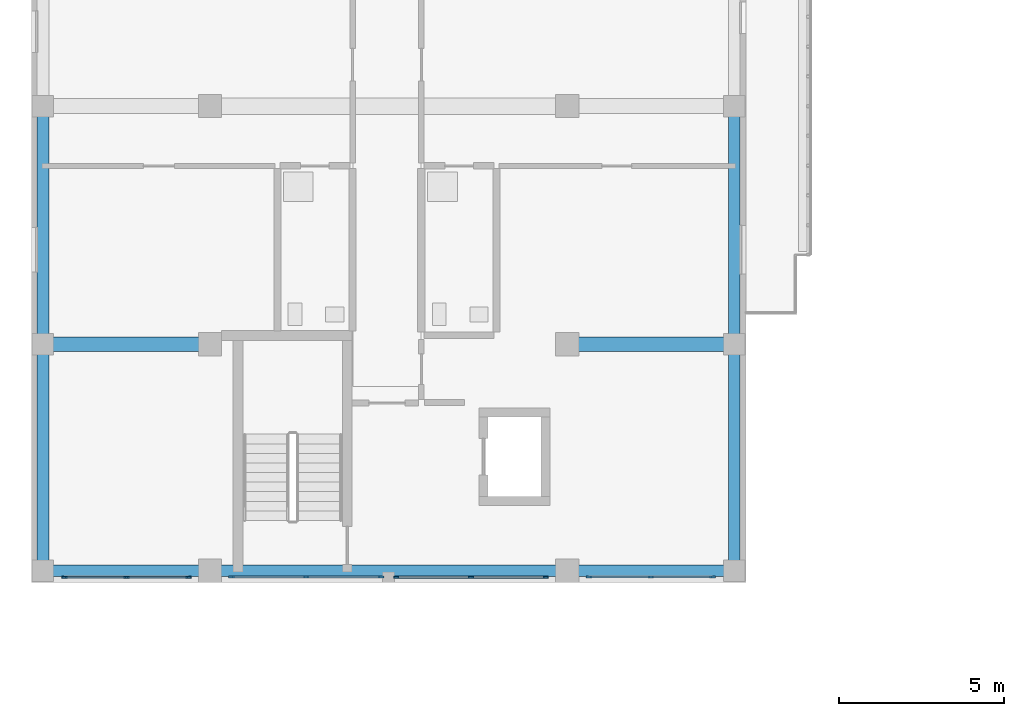
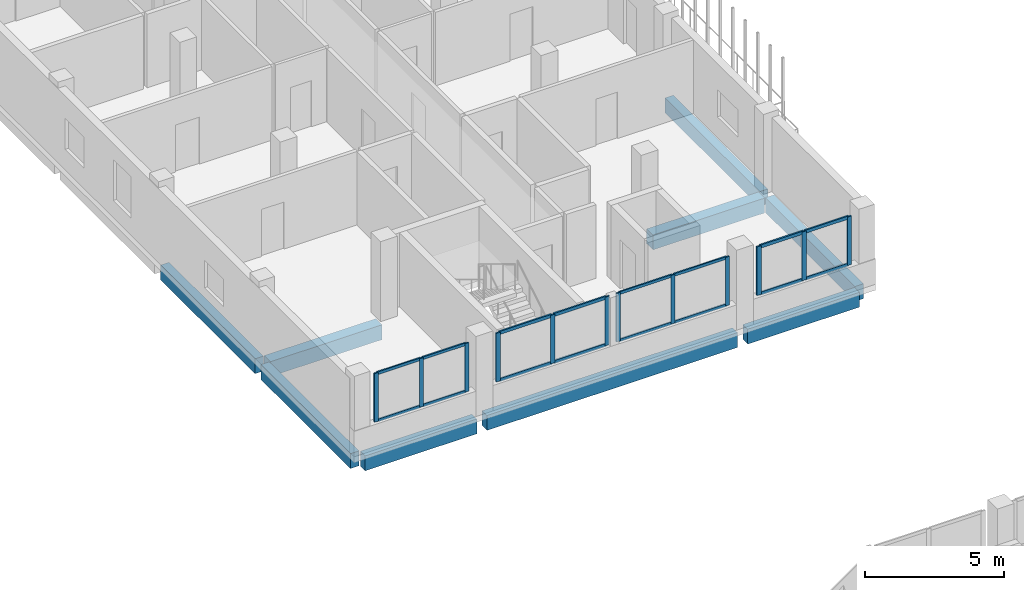
# One storey, part 16 of 73: 28 members, 9 beams, 4 elements without a shape of their own.
"""IFC4 building model written with IfcOpenShell, lengths in metres."""

from ifc_helpers import new_model, si_unit, derived_unit, direction, frame, origin, origin_2d, place, context, subcontext, project, spatial, rectangle, extrude, material, layer, layer_set, material_profile, profile_set, type_object, element, aggregate, save


model = new_model("IFC4")

# Units and contexts
model_context = context("Model", 3, precision=1e-05, world=origin(), true_north=direction((0.0, 1.0)))
body_context = subcontext(model_context, "Body", "Model", "MODEL_VIEW")
ifc_project = project(units=[si_unit("LENGTHUNIT", "METRE"), si_unit("AREAUNIT", "SQUARE_METRE"), si_unit("VOLUMEUNIT", "CUBIC_METRE"), si_unit("PLANEANGLEUNIT", "RADIAN"), si_unit("MASSUNIT", "GRAM", prefix="KILO"), derived_unit("THERMALTRANSMITTANCEUNIT", [(si_unit("MASSUNIT", "GRAM", prefix="KILO"), 1), (si_unit("TIMEUNIT", "SECOND"), -3), (si_unit("THERMODYNAMICTEMPERATUREUNIT", "KELVIN"), -1)])], contexts=[model_context])

# Site, building, storey
site_placement = place(None, origin())
site = spatial("IfcSite", under=ifc_project, at=site_placement, CompositionType="ELEMENT")
building_placement = place(site_placement, origin())
building = spatial("IfcBuilding", under=site, at=building_placement, Name="Ochrekiln Boulevard Commons", CompositionType="ELEMENT")
storey_placement = place(building_placement, frame((0.0, 0.0, 8.574951171875)))
storey = spatial("IfcBuildingStorey", under=building, at=storey_placement, Name="L02", CompositionType="ELEMENT", Elevation=8.574951171875)

# Beams
ifc_material_1 = material(Name="Concrete C35/45", Category="concrete")
ifc_material_profile_1 = material_profile(ifc_material_1, rectangle(XDim=0.449951171875, YDim=0.64990234375, at=origin_2d()), Name="RC-BM-450x650")
ifc_profile_set_1 = profile_set([ifc_material_profile_1], Name="Concrete C35/45")
beam_type_1 = type_object("IfcBeamType", Name="BM-RC-450x650", PredefinedType="BEAM", material=ifc_profile_set_1)
beam_1_placement = place(storey_placement, frame((0.56005859375, 75.60009765625, -0.5849609375), z_axis=(1.0, 0.0, 0.0), x_axis=(0.0, 1.0, 0.0)))
element("IfcBeam", 1, at=beam_1_placement, inside=storey, type_object=beam_type_1, Name="Block A L02 Beam B-4565 X4", PredefinedType="BEAM", context=body_context, shape_type="SweptSolid", body=[
    extrude(rectangle(XDim=0.449951171875, YDim=0.64990234375, at=origin_2d()), origin(), (0.0, 0.0, 1.0), 4.6298828125),
])
beam_2_placement = place(storey_placement, frame((16.409912109375, 75.60009765625, -0.5849609375), z_axis=(1.0, 0.0, 0.0), x_axis=(0.0, 1.0, 0.0)))
element("IfcBeam", 2, at=beam_2_placement, inside=storey, type_object=beam_type_1, Name="Block A L02 Beam B-4565 X5", PredefinedType="BEAM", context=body_context, shape_type="SweptSolid", body=[
    extrude(rectangle(XDim=0.449951171875, YDim=0.64990234375, at=origin_2d()), origin(), (0.0, 0.0, 1.0), 4.630126953125),
])

# Curtain wall, members
ifc_material_2 = material(Name="Bronze-anodized extruded aluminium 6063-T6", Category="aluminium")
ifc_layer = layer(ifc_material_2, 0.172119140625)
ifc_layer_set = layer_set([ifc_layer], Name="Bronze-anodized extruded aluminium 6063-T6")
curtain_wall_type = type_object("IfcCurtainWallType", Name="CW-GABLE-A", PredefinedType="USERDEFINED", material=ifc_layer_set)
curtain_wall_1_placement = place(storey_placement, origin())
curtain_wall_1 = element("IfcCurtainWall", 3, at=curtain_wall_1_placement, inside=storey, type_object=curtain_wall_type, Name="Block A L02 Courtyard Glazed Gable Curtain Wall 1", ObjectType="GLAZED CURTAIN WALL", PredefinedType="USERDEFINED")
ifc_material_profile_2 = material_profile(ifc_material_2, rectangle(XDim=0.06005859375, YDim=0.159912109375, at=origin_2d()), Name="ALU-MUL-60x160")
ifc_profile_set_2 = profile_set([ifc_material_profile_2], Name="Bronze-anodized extruded aluminium 6063-T6")
member_type_1 = type_object("IfcMemberType", Name="CWM-60x160", PredefinedType="MULLION", material=ifc_profile_set_2)
member_1_placement = place(storey_placement, frame((1.0, 68.56005859375, 1.110107421875), z_axis=(0.0, 0.0, 1.0), x_axis=(0.0, 1.0, 0.0)))
member_1 = element("IfcMember", 4, at=member_1_placement, type_object=member_type_1, Name="CW-01 mullion 1", PredefinedType="MULLION", context=body_context, shape_type="SweptSolid", body=[
    extrude(rectangle(XDim=0.06005859375, YDim=0.159912109375, at=origin_2d()), origin(), (0.0, 0.0, 1.0), 2.1298828125),
])
member_2_placement = place(storey_placement, frame((2.875, 68.56005859375, 1.110107421875), z_axis=(0.0, 0.0, 1.0), x_axis=(0.0, 1.0, 0.0)))
member_2 = element("IfcMember", 5, at=member_2_placement, type_object=member_type_1, Name="CW-01 mullion 2", PredefinedType="MULLION", context=body_context, shape_type="SweptSolid", body=[
    extrude(rectangle(XDim=0.06005859375, YDim=0.159912109375, at=origin_2d()), origin(), (0.0, 0.0, 1.0), 2.1298828125),
])
member_3_placement = place(storey_placement, frame((4.75, 68.56005859375, 1.110107421875), z_axis=(0.0, 0.0, 1.0), x_axis=(0.0, 1.0, 0.0)))
member_3 = element("IfcMember", 6, at=member_3_placement, type_object=member_type_1, Name="CW-01 mullion 3", PredefinedType="MULLION", context=body_context, shape_type="SweptSolid", body=[
    extrude(rectangle(XDim=0.06005859375, YDim=0.159912109375, at=origin_2d()), origin(), (0.0, 0.0, 1.0), 2.1298828125),
])

curtain_wall_2_placement = place(storey_placement, origin())
curtain_wall_2 = element("IfcCurtainWall", 7, at=curtain_wall_2_placement, inside=storey, type_object=curtain_wall_type, Name="Block A L02 Courtyard Glazed Gable Curtain Wall 3", ObjectType="GLAZED CURTAIN WALL", PredefinedType="USERDEFINED")
member_4_placement = place(storey_placement, frame((11.030029296875, 68.56005859375, 1.110107421875), z_axis=(0.0, 0.0, 1.0), x_axis=(0.0, 1.0, 0.0)))
member_4 = element("IfcMember", 8, at=member_4_placement, type_object=member_type_1, Name="CW-01 mullion 1", PredefinedType="MULLION", context=body_context, shape_type="SweptSolid", body=[
    extrude(rectangle(XDim=0.06005859375, YDim=0.159912109375, at=origin_2d()), origin(), (0.0, 0.0, 1.0), 2.1298828125),
])
member_5_placement = place(storey_placement, frame((13.2900390625, 68.56005859375, 1.110107421875), z_axis=(0.0, 0.0, 1.0), x_axis=(0.0, 1.0, 0.0)))
member_5 = element("IfcMember", 9, at=member_5_placement, type_object=member_type_1, Name="CW-01 mullion 2", PredefinedType="MULLION", context=body_context, shape_type="SweptSolid", body=[
    extrude(rectangle(XDim=0.06005859375, YDim=0.159912109375, at=origin_2d()), origin(), (0.0, 0.0, 1.0), 2.1298828125),
])
member_6_placement = place(storey_placement, frame((15.550048828125, 68.56005859375, 1.110107421875), z_axis=(0.0, 0.0, 1.0), x_axis=(0.0, 1.0, 0.0)))
member_6 = element("IfcMember", 10, at=member_6_placement, type_object=member_type_1, Name="CW-01 mullion 3", PredefinedType="MULLION", context=body_context, shape_type="SweptSolid", body=[
    extrude(rectangle(XDim=0.06005859375, YDim=0.159912109375, at=origin_2d()), origin(), (0.0, 0.0, 1.0), 2.1298828125),
])

curtain_wall_3_placement = place(storey_placement, origin())
curtain_wall_3 = element("IfcCurtainWall", 11, at=curtain_wall_3_placement, inside=storey, type_object=curtain_wall_type, Name="Block A L02 Courtyard Glazed Gable Curtain Wall 2", ObjectType="GLAZED CURTAIN WALL", PredefinedType="USERDEFINED")
ifc_material_profile_3 = material_profile(ifc_material_2, rectangle(XDim=0.06494140625, YDim=0.179931640625, at=origin_2d()), Name="ALU-MUL-65x180")
ifc_profile_set_3 = profile_set([ifc_material_profile_3], Name="Bronze-anodized extruded aluminium 6063-T6")
member_type_2 = type_object("IfcMemberType", Name="CWM-65x180", PredefinedType="MULLION", material=ifc_profile_set_3)
member_7_placement = place(storey_placement, frame((6.052490234375, 68.56005859375, 1.110107421875), z_axis=(0.0, 0.0, 1.0), x_axis=(0.0, 1.0, 0.0)))
member_7 = element("IfcMember", 12, at=member_7_placement, type_object=member_type_2, Name="CW-01 mullion 1", PredefinedType="MULLION", context=body_context, shape_type="SweptSolid", body=[
    extrude(rectangle(XDim=0.06494140625, YDim=0.179931640625, at=origin_2d()), origin(), (0.0, 0.0, 1.0), 2.1298828125),
])
member_8_placement = place(storey_placement, frame((8.31005859375, 68.56005859375, 1.110107421875), z_axis=(0.0, 0.0, 1.0), x_axis=(0.0, 1.0, 0.0)))
member_8 = element("IfcMember", 13, at=member_8_placement, type_object=member_type_2, Name="CW-01 mullion 2", PredefinedType="MULLION", context=body_context, shape_type="SweptSolid", body=[
    extrude(rectangle(XDim=0.06494140625, YDim=0.179931640625, at=origin_2d()), origin(), (0.0, 0.0, 1.0), 2.1298828125),
])
member_9_placement = place(storey_placement, frame((10.5673828125, 68.56005859375, 1.110107421875), z_axis=(0.0, 0.0, 1.0), x_axis=(0.0, 1.0, 0.0)))
member_9 = element("IfcMember", 14, at=member_9_placement, type_object=member_type_2, Name="CW-01 mullion 3", PredefinedType="MULLION", context=body_context, shape_type="SweptSolid", body=[
    extrude(rectangle(XDim=0.06494140625, YDim=0.179931640625, at=origin_2d()), origin(), (0.0, 0.0, 1.0), 2.1298828125),
])

curtain_wall_4_placement = place(storey_placement, origin())
curtain_wall_4 = element("IfcCurtainWall", 15, at=curtain_wall_4_placement, inside=storey, type_object=curtain_wall_type, Name="Block A L02 Courtyard Glazed Gable Curtain Wall 4", ObjectType="GLAZED CURTAIN WALL", PredefinedType="USERDEFINED")
member_10_placement = place(storey_placement, frame((16.8525390625, 68.56005859375, 1.110107421875), z_axis=(0.0, 0.0, 1.0), x_axis=(0.0, 1.0, 0.0)))
member_10 = element("IfcMember", 16, at=member_10_placement, type_object=member_type_2, Name="CW-01 mullion 1", PredefinedType="MULLION", context=body_context, shape_type="SweptSolid", body=[
    extrude(rectangle(XDim=0.06494140625, YDim=0.179931640625, at=origin_2d()), origin(), (0.0, 0.0, 1.0), 2.1298828125),
])
member_11_placement = place(storey_placement, frame((18.72509765625, 68.56005859375, 1.110107421875), z_axis=(0.0, 0.0, 1.0), x_axis=(0.0, 1.0, 0.0)))
member_11 = element("IfcMember", 17, at=member_11_placement, type_object=member_type_2, Name="CW-01 mullion 2", PredefinedType="MULLION", context=body_context, shape_type="SweptSolid", body=[
    extrude(rectangle(XDim=0.06494140625, YDim=0.179931640625, at=origin_2d()), origin(), (0.0, 0.0, 1.0), 2.1298828125),
])
member_12_placement = place(storey_placement, frame((20.597412109375, 68.56005859375, 1.110107421875), z_axis=(0.0, 0.0, 1.0), x_axis=(0.0, 1.0, 0.0)))
member_12 = element("IfcMember", 18, at=member_12_placement, type_object=member_type_2, Name="CW-01 mullion 3", PredefinedType="MULLION", context=body_context, shape_type="SweptSolid", body=[
    extrude(rectangle(XDim=0.06494140625, YDim=0.179931640625, at=origin_2d()), origin(), (0.0, 0.0, 1.0), 2.1298828125),
])

# Member
ifc_material_profile_4 = material_profile(ifc_material_2, rectangle(XDim=0.06005859375, YDim=0.1201171875, at=origin_2d()), Name="ALU-TRN-60x120")
ifc_profile_set_4 = profile_set([ifc_material_profile_4], Name="Bronze-anodized extruded aluminium 6063-T6")
member_type_3 = type_object("IfcMemberType", Name="CWT-60x120", PredefinedType="USERDEFINED", material=ifc_profile_set_4)
member_13_placement = place(storey_placement, frame((1.030029296875, 68.56005859375, 1.14013671875), z_axis=(1.0, 0.0, 0.0), x_axis=(0.0, 1.0, 0.0)))
member_13 = element("IfcMember", 19, at=member_13_placement, type_object=member_type_3, Name="CW-01 transom 1.1", ObjectType="TRANSOM", PredefinedType="USERDEFINED", context=body_context, shape_type="SweptSolid", body=[
    extrude(rectangle(XDim=0.06005859375, YDim=0.1201171875, at=origin_2d()), origin(), (0.0, 0.0, 1.0), 1.81494140625),
])

member_14_placement = place(storey_placement, frame((1.030029296875, 68.56005859375, 3.2099609375), z_axis=(1.0, 0.0, 0.0), x_axis=(0.0, 1.0, 0.0)))
member_14 = element("IfcMember", 20, at=member_14_placement, type_object=member_type_3, Name="CW-01 transom 1.2", ObjectType="TRANSOM", PredefinedType="USERDEFINED", context=body_context, shape_type="SweptSolid", body=[
    extrude(rectangle(XDim=0.06005859375, YDim=0.1201171875, at=origin_2d()), origin(), (0.0, 0.0, 1.0), 1.81494140625),
])

member_15_placement = place(storey_placement, frame((2.905029296875, 68.56005859375, 1.14013671875), z_axis=(1.0, 0.0, 0.0), x_axis=(0.0, 1.0, 0.0)))
member_15 = element("IfcMember", 21, at=member_15_placement, type_object=member_type_3, Name="CW-01 transom 2.1", ObjectType="TRANSOM", PredefinedType="USERDEFINED", context=body_context, shape_type="SweptSolid", body=[
    extrude(rectangle(XDim=0.06005859375, YDim=0.1201171875, at=origin_2d()), origin(), (0.0, 0.0, 1.0), 1.81494140625),
])

member_16_placement = place(storey_placement, frame((2.905029296875, 68.56005859375, 3.2099609375), z_axis=(1.0, 0.0, 0.0), x_axis=(0.0, 1.0, 0.0)))
member_16 = element("IfcMember", 22, at=member_16_placement, type_object=member_type_3, Name="CW-01 transom 2.2", ObjectType="TRANSOM", PredefinedType="USERDEFINED", context=body_context, shape_type="SweptSolid", body=[
    extrude(rectangle(XDim=0.06005859375, YDim=0.1201171875, at=origin_2d()), origin(), (0.0, 0.0, 1.0), 1.81494140625),
])

aggregate(curtain_wall_1, [member_1, member_2, member_3, member_13, member_14, member_15, member_16])

member_17_placement = place(storey_placement, frame((11.06005859375, 68.56005859375, 1.14013671875), z_axis=(1.0, 0.0, 0.0), x_axis=(0.0, 1.0, 0.0)))
member_17 = element("IfcMember", 23, at=member_17_placement, type_object=member_type_3, Name="CW-01 transom 1.1", ObjectType="TRANSOM", PredefinedType="USERDEFINED", context=body_context, shape_type="SweptSolid", body=[
    extrude(rectangle(XDim=0.06005859375, YDim=0.1201171875, at=origin_2d()), origin(), (0.0, 0.0, 1.0), 2.199951171875),
])

member_18_placement = place(storey_placement, frame((11.06005859375, 68.56005859375, 3.2099609375), z_axis=(1.0, 0.0, 0.0), x_axis=(0.0, 1.0, 0.0)))
member_18 = element("IfcMember", 24, at=member_18_placement, type_object=member_type_3, Name="CW-01 transom 1.2", ObjectType="TRANSOM", PredefinedType="USERDEFINED", context=body_context, shape_type="SweptSolid", body=[
    extrude(rectangle(XDim=0.06005859375, YDim=0.1201171875, at=origin_2d()), origin(), (0.0, 0.0, 1.0), 2.199951171875),
])

member_19_placement = place(storey_placement, frame((13.320068359375, 68.56005859375, 1.14013671875), z_axis=(1.0, 0.0, 0.0), x_axis=(0.0, 1.0, 0.0)))
member_19 = element("IfcMember", 25, at=member_19_placement, type_object=member_type_3, Name="CW-01 transom 2.1", ObjectType="TRANSOM", PredefinedType="USERDEFINED", context=body_context, shape_type="SweptSolid", body=[
    extrude(rectangle(XDim=0.06005859375, YDim=0.1201171875, at=origin_2d()), origin(), (0.0, 0.0, 1.0), 2.199951171875),
])

member_20_placement = place(storey_placement, frame((13.320068359375, 68.56005859375, 3.2099609375), z_axis=(1.0, 0.0, 0.0), x_axis=(0.0, 1.0, 0.0)))
member_20 = element("IfcMember", 26, at=member_20_placement, type_object=member_type_3, Name="CW-01 transom 2.2", ObjectType="TRANSOM", PredefinedType="USERDEFINED", context=body_context, shape_type="SweptSolid", body=[
    extrude(rectangle(XDim=0.06005859375, YDim=0.1201171875, at=origin_2d()), origin(), (0.0, 0.0, 1.0), 2.199951171875),
])

aggregate(curtain_wall_2, [member_4, member_5, member_6, member_17, member_18, member_19, member_20])

ifc_material_profile_5 = material_profile(ifc_material_2, rectangle(XDim=0.06494140625, YDim=0.139892578125, at=origin_2d()), Name="ALU-TRN-65x140")
ifc_profile_set_5 = profile_set([ifc_material_profile_5], Name="Bronze-anodized extruded aluminium 6063-T6")
member_type_4 = type_object("IfcMemberType", Name="CWT-65x140", PredefinedType="USERDEFINED", material=ifc_profile_set_5)
member_21_placement = place(storey_placement, frame((6.0849609375, 68.56005859375, 1.142578125), z_axis=(1.0, 0.0, 0.0), x_axis=(0.0, 1.0, 0.0)))
member_21 = element("IfcMember", 27, at=member_21_placement, type_object=member_type_4, Name="CW-01 transom 1.1", ObjectType="TRANSOM", PredefinedType="USERDEFINED", context=body_context, shape_type="SweptSolid", body=[
    extrude(rectangle(XDim=0.06494140625, YDim=0.139892578125, at=origin_2d()), origin(), (0.0, 0.0, 1.0), 2.192626953125),
])

member_22_placement = place(storey_placement, frame((6.0849609375, 68.56005859375, 3.20751953125), z_axis=(1.0, 0.0, 0.0), x_axis=(0.0, 1.0, 0.0)))
member_22 = element("IfcMember", 28, at=member_22_placement, type_object=member_type_4, Name="CW-01 transom 1.2", ObjectType="TRANSOM", PredefinedType="USERDEFINED", context=body_context, shape_type="SweptSolid", body=[
    extrude(rectangle(XDim=0.06494140625, YDim=0.139892578125, at=origin_2d()), origin(), (0.0, 0.0, 1.0), 2.192626953125),
])

member_23_placement = place(storey_placement, frame((8.342529296875, 68.56005859375, 1.142578125), z_axis=(1.0, 0.0, 0.0), x_axis=(0.0, 1.0, 0.0)))
member_23 = element("IfcMember", 29, at=member_23_placement, type_object=member_type_4, Name="CW-01 transom 2.1", ObjectType="TRANSOM", PredefinedType="USERDEFINED", context=body_context, shape_type="SweptSolid", body=[
    extrude(rectangle(XDim=0.06494140625, YDim=0.139892578125, at=origin_2d()), origin(), (0.0, 0.0, 1.0), 2.1923828125),
])

member_24_placement = place(storey_placement, frame((8.342529296875, 68.56005859375, 3.20751953125), z_axis=(1.0, 0.0, 0.0), x_axis=(0.0, 1.0, 0.0)))
member_24 = element("IfcMember", 30, at=member_24_placement, type_object=member_type_4, Name="CW-01 transom 2.2", ObjectType="TRANSOM", PredefinedType="USERDEFINED", context=body_context, shape_type="SweptSolid", body=[
    extrude(rectangle(XDim=0.06494140625, YDim=0.139892578125, at=origin_2d()), origin(), (0.0, 0.0, 1.0), 2.1923828125),
])

aggregate(curtain_wall_3, [member_7, member_8, member_9, member_21, member_22, member_23, member_24])

member_25_placement = place(storey_placement, frame((16.885009765625, 68.56005859375, 1.142578125), z_axis=(1.0, 0.0, 0.0), x_axis=(0.0, 1.0, 0.0)))
member_25 = element("IfcMember", 31, at=member_25_placement, type_object=member_type_4, Name="CW-01 transom 1.1", ObjectType="TRANSOM", PredefinedType="USERDEFINED", context=body_context, shape_type="SweptSolid", body=[
    extrude(rectangle(XDim=0.06494140625, YDim=0.139892578125, at=origin_2d()), origin(), (0.0, 0.0, 1.0), 1.807373046875),
])

member_26_placement = place(storey_placement, frame((16.885009765625, 68.56005859375, 3.20751953125), z_axis=(1.0, 0.0, 0.0), x_axis=(0.0, 1.0, 0.0)))
member_26 = element("IfcMember", 32, at=member_26_placement, type_object=member_type_4, Name="CW-01 transom 1.2", ObjectType="TRANSOM", PredefinedType="USERDEFINED", context=body_context, shape_type="SweptSolid", body=[
    extrude(rectangle(XDim=0.06494140625, YDim=0.139892578125, at=origin_2d()), origin(), (0.0, 0.0, 1.0), 1.807373046875),
])

member_27_placement = place(storey_placement, frame((18.757568359375, 68.56005859375, 1.142578125), z_axis=(1.0, 0.0, 0.0), x_axis=(0.0, 1.0, 0.0)))
member_27 = element("IfcMember", 33, at=member_27_placement, type_object=member_type_4, Name="CW-01 transom 2.1", ObjectType="TRANSOM", PredefinedType="USERDEFINED", context=body_context, shape_type="SweptSolid", body=[
    extrude(rectangle(XDim=0.06494140625, YDim=0.139892578125, at=origin_2d()), origin(), (0.0, 0.0, 1.0), 1.807373046875),
])

member_28_placement = place(storey_placement, frame((18.757568359375, 68.56005859375, 3.20751953125), z_axis=(1.0, 0.0, 0.0), x_axis=(0.0, 1.0, 0.0)))
member_28 = element("IfcMember", 34, at=member_28_placement, type_object=member_type_4, Name="CW-01 transom 2.2", ObjectType="TRANSOM", PredefinedType="USERDEFINED", context=body_context, shape_type="SweptSolid", body=[
    extrude(rectangle(XDim=0.06494140625, YDim=0.139892578125, at=origin_2d()), origin(), (0.0, 0.0, 1.0), 1.807373046875),
])

aggregate(curtain_wall_4, [member_10, member_11, member_12, member_25, member_26, member_27, member_28])

# Beams
ifc_material_3 = material(Name="Concrete C40/50", Category="concrete")
ifc_material_profile_6 = material_profile(ifc_material_3, rectangle(XDim=0.35009765625, YDim=0.64990234375, at=origin_2d()), Name="RC-SPN-350x650")
ifc_profile_set_6 = profile_set([ifc_material_profile_6], Name="Concrete C40/50")
beam_type_2 = type_object("IfcBeamType", Name="SPN-RC-350x650", PredefinedType="SPANDREL", material=ifc_profile_set_6)
beam_3_placement = place(storey_placement, frame((0.56005859375, 68.75, -0.5849609375), z_axis=(1.0, 0.0, 0.0), x_axis=(0.0, 1.0, 0.0)))
element("IfcBeam", 35, at=beam_3_placement, inside=storey, type_object=beam_type_2, Name="Block A L02 Beam SP-3565 X1", PredefinedType="SPANDREL", context=body_context, shape_type="SweptSolid", body=[
    extrude(rectangle(XDim=0.35009765625, YDim=0.64990234375, at=origin_2d()), origin(), (0.0, 0.0, 1.0), 4.6298828125),
])
beam_4_placement = place(storey_placement, frame((5.610107421875, 68.75, -0.5849609375), z_axis=(1.0, 0.0, 0.0), x_axis=(0.0, 1.0, 0.0)))
element("IfcBeam", 36, at=beam_4_placement, inside=storey, type_object=beam_type_2, Name="Block A L02 Beam SP-3565 X2", PredefinedType="SPANDREL", context=body_context, shape_type="SweptSolid", body=[
    extrude(rectangle(XDim=0.35009765625, YDim=0.64990234375, at=origin_2d()), origin(), (0.0, 0.0, 1.0), 10.3798828125),
])
beam_5_placement = place(storey_placement, frame((16.409912109375, 68.75, -0.5849609375), z_axis=(1.0, 0.0, 0.0), x_axis=(0.0, 1.0, 0.0)))
element("IfcBeam", 37, at=beam_5_placement, inside=storey, type_object=beam_type_2, Name="Block A L02 Beam SP-3565 X3", PredefinedType="SPANDREL", context=body_context, shape_type="SweptSolid", body=[
    extrude(rectangle(XDim=0.35009765625, YDim=0.64990234375, at=origin_2d()), origin(), (0.0, 0.0, 1.0), 4.630126953125),
])
beam_6_placement = place(storey_placement, frame((0.35009765625, 68.9599609375, -0.5849609375), z_axis=(0.0, 1.0, 0.0), x_axis=(-1.0, 0.0, 0.0)))
element("IfcBeam", 38, at=beam_6_placement, inside=storey, type_object=beam_type_2, Name="Block A L02 Beam SP-3565 Y23", PredefinedType="SPANDREL", context=body_context, shape_type="SweptSolid", body=[
    extrude(rectangle(XDim=0.35009765625, YDim=0.64990234375, at=origin_2d()), origin(), (0.0, 0.0, 1.0), 6.429931640625),
])
beam_7_placement = place(storey_placement, frame((0.35009765625, 75.81005859375, -0.5849609375), z_axis=(0.0, 1.0, 0.0), x_axis=(-1.0, 0.0, 0.0)))
element("IfcBeam", 39, at=beam_7_placement, inside=storey, type_object=beam_type_2, Name="Block A L02 Beam SP-3565 Y24", PredefinedType="SPANDREL", context=body_context, shape_type="SweptSolid", body=[
    extrude(rectangle(XDim=0.35009765625, YDim=0.64990234375, at=origin_2d()), origin(), (0.0, 0.0, 1.0), 6.780029296875),
])
beam_8_placement = place(storey_placement, frame((21.25, 68.9599609375, -0.5849609375), z_axis=(0.0, 1.0, 0.0), x_axis=(-1.0, 0.0, 0.0)))
element("IfcBeam", 40, at=beam_8_placement, inside=storey, type_object=beam_type_2, Name="Block A L02 Beam SP-3565 Y30", PredefinedType="SPANDREL", context=body_context, shape_type="SweptSolid", body=[
    extrude(rectangle(XDim=0.35009765625, YDim=0.64990234375, at=origin_2d()), origin(), (0.0, 0.0, 1.0), 6.429931640625),
])
beam_9_placement = place(storey_placement, frame((21.25, 75.81005859375, -0.5849609375), z_axis=(0.0, 1.0, 0.0), x_axis=(-1.0, 0.0, 0.0)))
element("IfcBeam", 41, at=beam_9_placement, inside=storey, type_object=beam_type_2, Name="Block A L02 Beam SP-3565 Y31", PredefinedType="SPANDREL", context=body_context, shape_type="SweptSolid", body=[
    extrude(rectangle(XDim=0.35009765625, YDim=0.64990234375, at=origin_2d()), origin(), (0.0, 0.0, 1.0), 6.780029296875),
])

save(model, "model.ifc")
